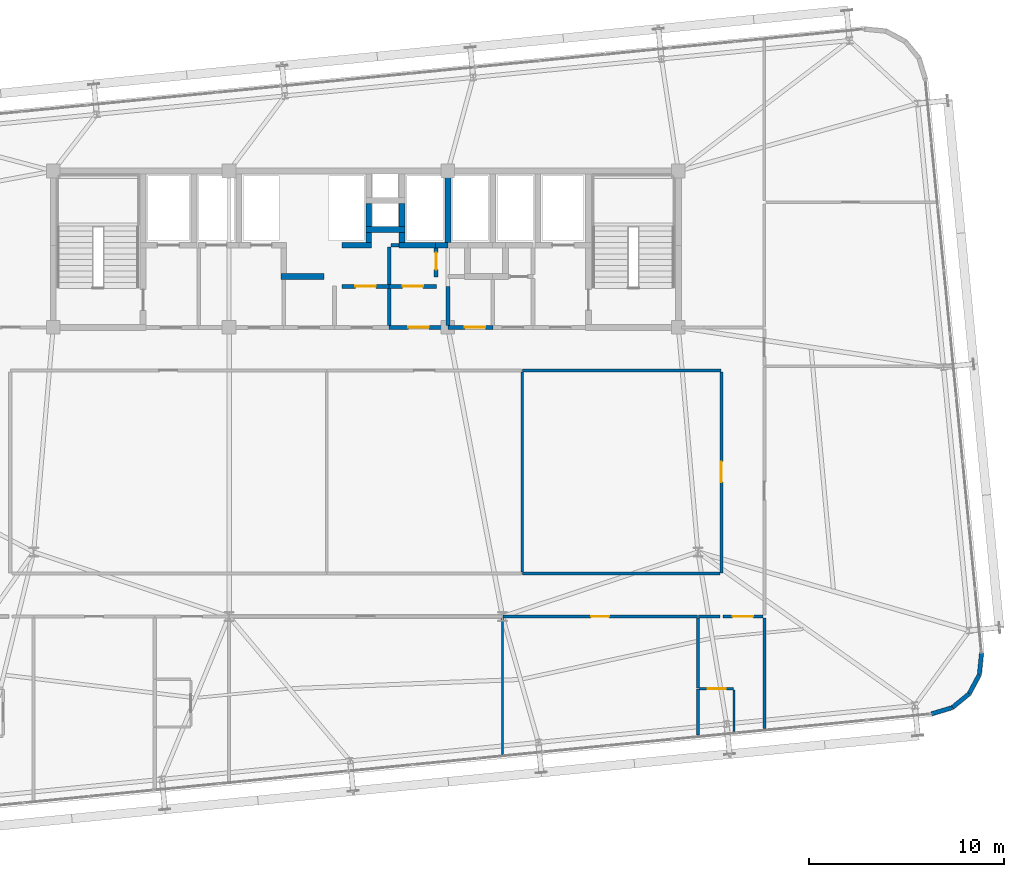
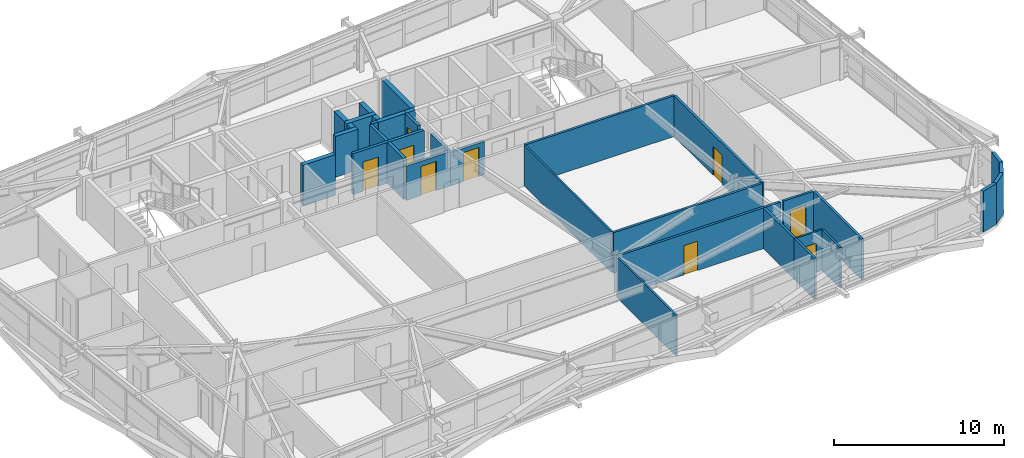
# One storey, part 48 of 53: 36 walls, 9 doors, 9 openings.
"""IFC4 building model written with IfcOpenShell, lengths in metres."""

from ifc_helpers import new_model, si_unit, direction, frame, frame_2d, origin, place, context, subcontext, project, spatial, rectangle, extrude, source, transform, mapped, material, layer, layer_set, type_object, element, fill, save


model = new_model("IFC4")

# Units and contexts
model_context = context("Model", 3, precision=1e-05, world=origin(), true_north=direction((0.0, 1.0)))
body_context = subcontext(model_context, "Body", "Model", "MODEL_VIEW")
ifc_project = project(units=[si_unit("LENGTHUNIT", "METRE"), si_unit("AREAUNIT", "SQUARE_METRE"), si_unit("VOLUMEUNIT", "CUBIC_METRE"), si_unit("PLANEANGLEUNIT", "RADIAN"), si_unit("MASSUNIT", "GRAM", prefix="KILO")], contexts=[model_context])

# Site, building, storey
site_placement = place(None, origin())
site = spatial("IfcSite", under=ifc_project, at=site_placement, CompositionType="ELEMENT")
building_placement = place(site_placement, origin())
building = spatial("IfcBuilding", under=site, at=building_placement, Name="Taldren Reach Tower", CompositionType="ELEMENT")
storey_placement = place(building_placement, frame((0.0, 0.0, 84.0)))
storey = spatial("IfcBuildingStorey", under=building, at=storey_placement, Name="L25", CompositionType="ELEMENT", Elevation=84.0)

# Walls
ifc_material_1 = material(Name="Pale Champagne Anodised Aluminium Cladding", Category="aluminium")
ifc_layer_1 = layer(ifc_material_1, 0.04, Name="Pale Champagne Anodised Aluminium Cladding", Category="aluminium")
ifc_material_2 = material(Name="Mineral Wool Acoustic Insulation", Category="insulation")
ifc_layer_2 = layer(ifc_material_2, 0.06, Name="Mineral Wool Acoustic Insulation", Category="insulation")
ifc_material_3 = material(Name="Steel Gr 350 (C350L0)", Category="steel")
ifc_layer_3 = layer(ifc_material_3, 0.12, Name="Steel Gr 350 (C350L0)", Category="steel")
ifc_layer_set_1 = layer_set([ifc_layer_1, ifc_layer_2, ifc_layer_3], Name="Pale Champagne Aluminium Cladding and Steel Gr 350 Stud Framing")
wall_type_1 = type_object("IfcWallType", Name="EW-CRN-220", PredefinedType="SOLIDWALL", material=ifc_layer_set_1)
shared_shape_1 = source(origin(), body_context, "Body", "SweptSolid", [
    extrude(rectangle(XDim=1.115966796875, YDim=0.219970703125, at=frame_2d((0.55810546875, 0.0))), origin(), (0.0, 0.0, 1.0), 2.929931640625),
])
for number, where, z_axis, x_axis, name in (
    (1, (65.01708984375, 4.537109375, 0.0), (0.0, 0.0, 1.0), (0.773342870285, 0.633988016432, 0.0), "Rounded-corner pale-metal facade wall L25-SE2"),
    (2, (66.406494140625, 6.228515625, 0.0), (0.0, 0.0, 1.0), (0.09844234778, 0.995142755671, 0.0), "Rounded-corner pale-metal facade wall L25-SE4"),
):
    element("IfcWall", number, at=place(storey_placement, frame(where, z_axis=z_axis, x_axis=x_axis)), inside=storey, type_object=wall_type_1, Name=name, PredefinedType="SOLIDWALL", context=body_context, shape_type="MappedRepresentation", body=[
        mapped(shared_shape_1, transform((0.0, 0.0, 0.0), scale=1.0)),
    ])
shared_shape_2 = source(origin(), body_context, "Body", "SweptSolid", [
    extrude(rectangle(XDim=1.11572265625, YDim=0.219970703125, at=frame_2d((0.557861328125, 0.0))), origin(), (0.0, 0.0, 1.0), 2.929931640625),
])
for number, where, z_axis, x_axis, name in (
    (3, (63.94921875, 4.213623046875, 0.0), (0.0, 0.0, 1.0), (0.957052003726, 0.289916301997, 0.0), "Rounded-corner pale-metal facade wall L25-SE1"),
    (4, (65.880126953125, 5.24462890625, 0.0), (0.0, 0.0, 1.0), (0.471723463201, 0.881746547635, 0.0), "Rounded-corner pale-metal facade wall L25-SE3"),
):
    element("IfcWall", number, at=place(storey_placement, frame(where, z_axis=z_axis, x_axis=x_axis)), inside=storey, type_object=wall_type_1, Name=name, PredefinedType="SOLIDWALL", context=body_context, shape_type="MappedRepresentation", body=[
        mapped(shared_shape_2, transform((0.0, 0.0, 0.0), scale=1.0)),
    ])
ifc_material_4 = material(Name="Concrete S50 (50 MPa)", Category="concrete")
ifc_layer_4 = layer(ifc_material_4, 0.199951171875)
ifc_layer_set_2 = layer_set([ifc_layer_4], Name="Concrete S50 (50 MPa)")
wall_type_2 = type_object("IfcWallType", Name="IW-CORE-200", PredefinedType="SOLIDWALL", material=ifc_layer_set_2)
shared_shape_3 = source(origin(), body_context, "Body", "SweptSolid", [
    extrude(rectangle(XDim=2.0, YDim=0.199951171875, at=frame_2d((1.0, 0.0))), origin(), (0.0, 0.0, 1.0), 2.469970703125),
])
wall_1_placement = place(storey_placement, frame((39.199951171875, 26.10009765625, 0.0), z_axis=(0.0, 0.0, 1.0), x_axis=(0.0, -1.0, 0.0)))
element("IfcWall", 5, at=wall_1_placement, inside=storey, type_object=wall_type_2, Name="Rear Core Shear Wall W-INT-L25-052", PredefinedType="SOLIDWALL", context=body_context, shape_type="MappedRepresentation", body=[
    mapped(shared_shape_3, transform((0.0, 0.0, 0.0), scale=1.0)),
])

# Wall, opening, door
ifc_material_5 = material(Name="Fire-Rated Acoustic Plasterboard Stud Wall", Category="gypsum")
ifc_layer_5 = layer(ifc_material_5, 0.159912109375)
ifc_layer_set_3 = layer_set([ifc_layer_5], Name="Fire-Rated Acoustic Plasterboard Stud Wall")
wall_type_3 = type_object("IfcWallType", Name="IW-FIRE-160", PredefinedType="PARTITIONING", material=ifc_layer_set_3)
shared_shape_4 = source(origin(), body_context, "Body", "SweptSolid", [
    extrude(rectangle(XDim=10.2998046875, YDim=0.159912109375, at=frame_2d((5.14990234375, 0.0))), origin(), (0.0, 0.0, 1.0), 2.929931640625),
])
wall_2_placement = place(storey_placement, frame((53.199951171875, 11.420166015625, 0.0), z_axis=(0.0, 0.0, 1.0), x_axis=(0.0, 1.0, 0.0)))
wall_2 = element("IfcWall", 6, at=wall_2_placement, inside=storey, type_object=wall_type_3, Name="Interior Partition Wall W-INT-L25-063", PredefinedType="PARTITIONING", context=body_context, shape_type="MappedRepresentation", body=[
    mapped(shared_shape_4, transform((0.0, 0.0, 0.0), scale=1.0)),
])
shared_shape_5 = source(origin(), body_context, "Body", "SweptSolid", [
    extrude(rectangle(XDim=1.050048828125, YDim=2.10009765625, at=frame_2d((0.52490234375, 1.050048828125))), frame((0.0, 0.08984375, 0.0), z_axis=(0.0, -1.0, 0.0), x_axis=(1.0, 0.0, 0.0)), (0.0, 0.0, 1.0), 0.179931640625),
])
opening_1_placement = place(wall_2_placement, frame((4.65478515625, 0.0, 0.0)))
opening_1 = element("IfcOpeningElement", 7, at=opening_1_placement, cuts=wall_2, Name="Opening DF-105", PredefinedType="OPENING", context=body_context, shape_type="MappedRepresentation", body=[
    mapped(shared_shape_5, transform((0.0, 0.0, 0.0), scale=1.0)),
])
ifc_material_6 = material(Name="Fire-Rated Care and Stair Exit Door")
door_type_1 = type_object("IfcDoorType", Name="ID-FIRE-105", OperationType="NOTDEFINED", PredefinedType="DOOR", material=ifc_material_6)
shared_shape_6 = source(origin(), body_context, "Body", "SweptSolid", [
    extrude(rectangle(XDim=1.050048828125, YDim=2.10009765625, at=frame_2d((0.52490234375, 1.050048828125))), frame((0.0, 0.02490234375, 0.0), z_axis=(0.0, -1.0, 0.0), x_axis=(1.0, 0.0, 0.0)), (0.0, 0.0, 1.0), 0.050048828125),
])
door_1_placement = place(opening_1_placement, origin())
door_1 = element("IfcDoor", 8, at=door_1_placement, inside=storey, type_object=door_type_1, Name="Interior Door DR-L25-016", OperationType="SINGLE_SWING_LEFT", OverallHeight=2.10009765625, OverallWidth=1.050048828125, PredefinedType="DOOR", context=body_context, shape_type="MappedRepresentation", body=[
    mapped(shared_shape_6, transform((0.0, 0.0, 0.0), scale=1.0)),
])
fill(opening_1, door_1)

shared_shape_7 = source(origin(), body_context, "Body", "SweptSolid", [
    extrude(rectangle(XDim=2.0400390625, YDim=0.159912109375, at=frame_2d((1.02001953125, 0.0))), origin(), (0.0, 0.0, 1.0), 2.929931640625),
])
wall_3_placement = place(storey_placement, frame((55.320068359375, 9.199951171875, 0.0), z_axis=(0.0, 0.0, 1.0), x_axis=(-1.0, 0.0, 0.0)))
wall_3 = element("IfcWall", 9, at=wall_3_placement, inside=storey, type_object=wall_type_3, Name="Interior Partition Wall W-INT-L25-066", PredefinedType="PARTITIONING", context=body_context, shape_type="MappedRepresentation", body=[
    mapped(shared_shape_7, transform((0.0, 0.0, 0.0), scale=1.0)),
])
opening_2_placement = place(wall_3_placement, frame((0.4951171875, 0.0, 0.0)))
opening_2 = element("IfcOpeningElement", 10, at=opening_2_placement, cuts=wall_3, Name="Opening DF-105", PredefinedType="OPENING", context=body_context, shape_type="MappedRepresentation", body=[
    mapped(shared_shape_5, transform((0.0, 0.0, 0.0), scale=1.0)),
])
door_2_placement = place(opening_2_placement, origin())
door_2 = element("IfcDoor", 11, at=door_2_placement, inside=storey, type_object=door_type_1, Name="Interior Door DR-L25-018", OperationType="SINGLE_SWING_LEFT", OverallHeight=2.10009765625, OverallWidth=1.050048828125, PredefinedType="DOOR", context=body_context, shape_type="MappedRepresentation", body=[
    mapped(shared_shape_6, transform((0.0, 0.0, 0.0), scale=1.0)),
])
fill(opening_2, door_2)

# Wall
shared_shape_8 = source(origin(), body_context, "Body", "SweptSolid", [
    extrude(rectangle(XDim=1.099853515625, YDim=0.159912109375, at=frame_2d((0.5498046875, 0.0))), origin(), (0.0, 0.0, 1.0), 2.929931640625),
])
wall_4_placement = place(storey_placement, frame((53.1201171875, 9.199951171875, 0.0), z_axis=(0.0, 0.0, 1.0), x_axis=(-1.0, 0.0, 0.0)))
element("IfcWall", 12, at=wall_4_placement, inside=storey, type_object=wall_type_3, Name="Interior Partition Wall W-INT-L25-085", PredefinedType="PARTITIONING", context=body_context, shape_type="MappedRepresentation", body=[
    mapped(shared_shape_8, transform((0.0, 0.0, 0.0), scale=1.0)),
])

# Wall, opening, door
ifc_material_7 = material(Name="Insulated Residential Stud Partition", Category="gypsum")
ifc_layer_6 = layer(ifc_material_7, 0.1201171875)
ifc_layer_set_4 = layer_set([ifc_layer_6], Name="Insulated Residential Stud Partition")
wall_type_4 = type_object("IfcWallType", Name="IW-PART-120", PredefinedType="PARTITIONING", material=ifc_layer_set_4)
shared_shape_9 = source(origin(), body_context, "Body", "SweptSolid", [
    extrude(rectangle(XDim=1.749755859375, YDim=0.1201171875, at=frame_2d((0.875, 0.0))), origin(), (0.0, 0.0, 1.0), 2.929931640625),
])
wall_5_placement = place(storey_placement, frame((53.829833984375, 5.51025390625, 0.0), z_axis=(0.0, 0.0, 1.0), x_axis=(-1.0, 0.0, 0.0)))
wall_5 = element("IfcWall", 13, at=wall_5_placement, inside=storey, type_object=wall_type_4, Name="Interior Partition Wall W-INT-L25-106", PredefinedType="PARTITIONING", context=body_context, shape_type="MappedRepresentation", body=[
    mapped(shared_shape_9, transform((0.0, 0.0, 0.0), scale=1.0)),
])
shared_shape_10 = source(origin(), body_context, "Body", "SweptSolid", [
    extrude(rectangle(XDim=0.919921875, YDim=2.10009765625, at=frame_2d((0.4599609375, 1.050048828125))), frame((0.0, 0.070068359375, 0.0), z_axis=(0.0, -1.0, 0.0), x_axis=(1.0, 0.0, 0.0)), (0.0, 0.0, 1.0), 0.14013671875),
])
opening_3_placement = place(wall_5_placement, frame((0.414794921875, 0.0, 0.0)))
opening_3 = element("IfcOpeningElement", 14, at=opening_3_placement, cuts=wall_5, Name="Opening DI-092", PredefinedType="OPENING", context=body_context, shape_type="MappedRepresentation", body=[
    mapped(shared_shape_10, transform((0.0, 0.0, 0.0), scale=1.0)),
])
ifc_material_8 = material(Name="Solid-Core Timber Suite Door", Category="wood")
door_type_2 = type_object("IfcDoorType", Name="ID-INT-092", OperationType="NOTDEFINED", PredefinedType="DOOR", material=ifc_material_8)
shared_shape_11 = source(origin(), body_context, "Body", "SweptSolid", [
    extrude(rectangle(XDim=0.919921875, YDim=2.10009765625, at=frame_2d((0.4599609375, 1.050048828125))), frame((0.0, 0.02490234375, 0.0), z_axis=(0.0, -1.0, 0.0), x_axis=(1.0, 0.0, 0.0)), (0.0, 0.0, 1.0), 0.050048828125),
])
door_3_placement = place(opening_3_placement, origin())
door_3 = element("IfcDoor", 15, at=door_3_placement, inside=storey, type_object=door_type_2, Name="Interior Door DR-L25-031", OperationType="SINGLE_SWING_RIGHT", OverallHeight=2.10009765625, OverallWidth=0.919921875, PredefinedType="DOOR", context=body_context, shape_type="MappedRepresentation", body=[
    mapped(shared_shape_11, transform((0.0, 0.0, 0.0), scale=1.0)),
])
fill(opening_3, door_3)

shared_shape_12 = source(origin(), body_context, "Body", "SweptSolid", [
    extrude(rectangle(XDim=2.419921875, YDim=0.199951171875, at=frame_2d((1.2099609375, 0.0))), origin(), (0.0, 0.0, 1.0), 2.929931640625),
])
wall_6_placement = place(storey_placement, frame((33.780029296875, 26.10009765625, 0.0), z_axis=(0.0, 0.0, 1.0), x_axis=(1.0, 0.0, 0.0)))
wall_6 = element("IfcWall", 16, at=wall_6_placement, inside=storey, type_object=wall_type_2, Name="Rear Core Shear Wall W-INT-L25-046", PredefinedType="SOLIDWALL", context=body_context, shape_type="MappedRepresentation", body=[
    mapped(shared_shape_12, transform((0.0, 0.0, 0.0), scale=1.0)),
])
shared_shape_13 = source(origin(), body_context, "Body", "SweptSolid", [
    extrude(rectangle(XDim=1.050048828125, YDim=2.10009765625, at=frame_2d((0.52490234375, 1.050048828125))), frame((0.0, 0.10986328125, 0.0), z_axis=(0.0, -1.0, 0.0), x_axis=(1.0, 0.0, 0.0)), (0.0, 0.0, 1.0), 0.219970703125),
])
opening_4_placement = place(wall_6_placement, frame((0.68505859375, 0.0, 0.0)))
opening_4 = element("IfcOpeningElement", 17, at=opening_4_placement, cuts=wall_6, Name="Opening DF-105", PredefinedType="OPENING", context=body_context, shape_type="MappedRepresentation", body=[
    mapped(shared_shape_13, transform((0.0, 0.0, 0.0), scale=1.0)),
])
door_4_placement = place(opening_4_placement, origin())
door_4 = element("IfcDoor", 18, at=door_4_placement, inside=storey, type_object=door_type_1, Name="Interior Door DR-L25-007", OperationType="SINGLE_SWING_RIGHT", OverallHeight=2.10009765625, OverallWidth=1.050048828125, PredefinedType="DOOR", context=body_context, shape_type="MappedRepresentation", body=[
    mapped(shared_shape_6, transform((0.0, 0.0, 0.0), scale=1.0)),
])
fill(opening_4, door_4)

# Walls
shared_shape_14 = source(origin(), body_context, "Body", "SweptSolid", [
    extrude(rectangle(XDim=1.89990234375, YDim=0.199951171875, at=frame_2d((0.949951171875, 0.0))), origin(), (0.0, 0.0, 1.0), 2.929931640625),
])
wall_7_placement = place(storey_placement, frame((36.199951171875, 26.0, 0.0), z_axis=(0.0, 0.0, 1.0), x_axis=(0.0, -1.0, 0.0)))
element("IfcWall", 19, at=wall_7_placement, inside=storey, type_object=wall_type_2, Name="Rear Core Shear Wall W-INT-L25-047", PredefinedType="SOLIDWALL", context=body_context, shape_type="MappedRepresentation", body=[
    mapped(shared_shape_14, transform((0.0, 0.0, 0.0), scale=1.0)),
])
shared_shape_15 = source(origin(), body_context, "Body", "SweptSolid", [
    extrude(rectangle(XDim=1.900146484375, YDim=0.199951171875, at=frame_2d((0.9501953125, 0.0))), origin(), (0.0, 0.0, 1.0), 2.929931640625),
])
wall_8_placement = place(storey_placement, frame((36.199951171875, 28.10009765625, 0.0), z_axis=(0.0, 0.0, 1.0), x_axis=(0.0, -1.0, 0.0)))
element("IfcWall", 20, at=wall_8_placement, inside=storey, type_object=wall_type_2, Name="Rear Core Shear Wall W-INT-L25-049", PredefinedType="SOLIDWALL", context=body_context, shape_type="MappedRepresentation", body=[
    mapped(shared_shape_15, transform((0.0, 0.0, 0.0), scale=1.0)),
])

# Wall, opening, door
shared_shape_16 = source(origin(), body_context, "Body", "SweptSolid", [
    extrude(rectangle(XDim=2.420166015625, YDim=0.199951171875, at=frame_2d((1.2099609375, 0.0))), origin(), (0.0, 0.0, 1.0), 2.929931640625),
])
wall_9_placement = place(storey_placement, frame((36.199951171875, 26.10009765625, 0.0), z_axis=(0.0, 0.0, 1.0), x_axis=(1.0, 0.0, 0.0)))
wall_9 = element("IfcWall", 21, at=wall_9_placement, inside=storey, type_object=wall_type_2, Name="Rear Core Shear Wall W-INT-L25-051", PredefinedType="SOLIDWALL", context=body_context, shape_type="MappedRepresentation", body=[
    mapped(shared_shape_16, transform((0.0, 0.0, 0.0), scale=1.0)),
])
opening_5_placement = place(wall_9_placement, frame((0.68505859375, 0.0, 0.0)))
opening_5 = element("IfcOpeningElement", 22, at=opening_5_placement, cuts=wall_9, Name="Opening DF-105", PredefinedType="OPENING", context=body_context, shape_type="MappedRepresentation", body=[
    mapped(shared_shape_13, transform((0.0, 0.0, 0.0), scale=1.0)),
])
door_5_placement = place(opening_5_placement, origin())
door_5 = element("IfcDoor", 23, at=door_5_placement, inside=storey, type_object=door_type_1, Name="Interior Door DR-L25-009", OperationType="SINGLE_SWING_RIGHT", OverallHeight=2.10009765625, OverallWidth=1.050048828125, PredefinedType="DOOR", context=body_context, shape_type="MappedRepresentation", body=[
    mapped(shared_shape_6, transform((0.0, 0.0, 0.0), scale=1.0)),
])
fill(opening_5, door_5)

shared_shape_17 = source(origin(), body_context, "Body", "SweptSolid", [
    extrude(rectangle(XDim=3.0, YDim=0.199951171875, at=frame_2d((1.5, 0.0))), origin(), (0.0, 0.0, 1.0), 2.469970703125),
])
wall_10_placement = place(storey_placement, frame((39.199951171875, 24.0, 0.0), z_axis=(0.0, 0.0, 1.0), x_axis=(-1.0, 0.0, 0.0)))
wall_10 = element("IfcWall", 24, at=wall_10_placement, inside=storey, type_object=wall_type_2, Name="Rear Core Shear Wall W-INT-L25-053", PredefinedType="SOLIDWALL", context=body_context, shape_type="MappedRepresentation", body=[
    mapped(shared_shape_17, transform((0.0, 0.0, 0.0), scale=1.0)),
])
opening_6_placement = place(wall_10_placement, frame((0.97509765625, 0.0, 0.0)))
opening_6 = element("IfcOpeningElement", 25, at=opening_6_placement, cuts=wall_10, Name="Opening DF-105", PredefinedType="OPENING", context=body_context, shape_type="MappedRepresentation", body=[
    mapped(shared_shape_13, transform((0.0, 0.0, 0.0), scale=1.0)),
])
door_6_placement = place(opening_6_placement, frame((1.050048828125, 0.0, 0.0), z_axis=(0.0, 0.0, 1.0), x_axis=(-1.0, 0.0, 0.0)))
door_6 = element("IfcDoor", 26, at=door_6_placement, inside=storey, type_object=door_type_1, Name="Interior Door DR-L25-010", OperationType="SINGLE_SWING_RIGHT", OverallHeight=2.10009765625, OverallWidth=1.050048828125, PredefinedType="DOOR", context=body_context, shape_type="MappedRepresentation", body=[
    mapped(shared_shape_6, transform((0.0, 0.0, 0.0), scale=1.0)),
])
fill(opening_6, door_6)

shared_shape_18 = source(origin(), body_context, "Body", "SweptSolid", [
    extrude(rectangle(XDim=2.300048828125, YDim=0.199951171875, at=frame_2d((1.14990234375, 0.0))), origin(), (0.0, 0.0, 1.0), 2.39697265625),
])
wall_11_placement = place(storey_placement, frame((41.5, 24.0, 0.0), z_axis=(0.0, 0.0, 1.0), x_axis=(-1.0, 0.0, 0.0)))
wall_11 = element("IfcWall", 27, at=wall_11_placement, inside=storey, type_object=wall_type_2, Name="Rear Core Shear Wall W-INT-L25-057", PredefinedType="SOLIDWALL", context=body_context, shape_type="MappedRepresentation", body=[
    mapped(shared_shape_18, transform((0.0, 0.0, 0.0), scale=1.0)),
])
opening_7_placement = place(wall_11_placement, frame((0.375, 0.0, 0.0)))
opening_7 = element("IfcOpeningElement", 28, at=opening_7_placement, cuts=wall_11, Name="Opening DF-105", PredefinedType="OPENING", context=body_context, shape_type="MappedRepresentation", body=[
    mapped(shared_shape_13, transform((0.0, 0.0, 0.0), scale=1.0)),
])
door_7_placement = place(opening_7_placement, frame((1.050048828125, 0.0, 0.0), z_axis=(0.0, 0.0, 1.0), x_axis=(-1.0, 0.0, 0.0)))
door_7 = element("IfcDoor", 29, at=door_7_placement, inside=storey, type_object=door_type_1, Name="Interior Door DR-L25-011", OperationType="SINGLE_SWING_RIGHT", OverallHeight=2.10009765625, OverallWidth=1.050048828125, PredefinedType="DOOR", context=body_context, shape_type="MappedRepresentation", body=[
    mapped(shared_shape_6, transform((0.0, 0.0, 0.0), scale=1.0)),
])
fill(opening_7, door_7)

shared_shape_19 = source(origin(), body_context, "Body", "SweptSolid", [
    extrude(rectangle(XDim=9.95947265625, YDim=0.159912109375, at=frame_2d((4.979736328125, 0.0))), origin(), (0.0, 0.0, 1.0), 2.929931640625),
])
wall_12_placement = place(storey_placement, frame((51.979736328125, 9.199951171875, 0.0), z_axis=(0.0, 0.0, 1.0), x_axis=(-1.0, 0.0, 0.0)))
wall_12 = element("IfcWall", 30, at=wall_12_placement, inside=storey, type_object=wall_type_3, Name="Interior Partition Wall W-INT-L25-084", PredefinedType="PARTITIONING", context=body_context, shape_type="MappedRepresentation", body=[
    mapped(shared_shape_19, transform((0.0, 0.0, 0.0), scale=1.0)),
])
shared_shape_20 = source(origin(), body_context, "Body", "SweptSolid", [
    extrude(rectangle(XDim=0.919921875, YDim=2.10009765625, at=frame_2d((0.4599609375, 1.050048828125))), frame((0.0, 0.08984375, 0.0), z_axis=(0.0, -1.0, 0.0), x_axis=(1.0, 0.0, 0.0)), (0.0, 0.0, 1.0), 0.179931640625),
])
opening_8_placement = place(wall_12_placement, frame((4.519775390625, 0.0, 0.0)))
opening_8 = element("IfcOpeningElement", 31, at=opening_8_placement, cuts=wall_12, Name="Opening DI-092", PredefinedType="OPENING", context=body_context, shape_type="MappedRepresentation", body=[
    mapped(shared_shape_20, transform((0.0, 0.0, 0.0), scale=1.0)),
])
door_8_placement = place(opening_8_placement, origin())
door_8 = element("IfcDoor", 32, at=door_8_placement, inside=storey, type_object=door_type_2, Name="Interior Door DR-L25-028", OperationType="SINGLE_SWING_LEFT", OverallHeight=2.10009765625, OverallWidth=0.919921875, PredefinedType="DOOR", context=body_context, shape_type="MappedRepresentation", body=[
    mapped(shared_shape_11, transform((0.0, 0.0, 0.0), scale=1.0)),
])
fill(opening_8, door_8)

# Walls
shared_shape_21 = source(origin(), body_context, "Body", "SweptSolid", [
    extrude(rectangle(XDim=10.239990234375, YDim=0.1201171875, at=frame_2d((5.1201171875, 0.0))), origin(), (0.0, 0.0, 1.0), 2.929931640625),
])
wall_13_placement = place(storey_placement, frame((43.0, 21.719970703125, 0.0), z_axis=(0.0, 0.0, 1.0), x_axis=(0.0, -1.0, 0.0)))
element("IfcWall", 33, at=wall_13_placement, inside=storey, type_object=wall_type_4, Name="Interior Partition Wall W-INT-L25-087", PredefinedType="PARTITIONING", context=body_context, shape_type="MappedRepresentation", body=[
    mapped(shared_shape_21, transform((0.0, 0.0, 0.0), scale=1.0)),
])
shared_shape_22 = source(origin(), body_context, "Body", "SweptSolid", [
    extrude(rectangle(XDim=10.159423828125, YDim=0.159912109375, at=frame_2d((5.07958984375, 0.0))), origin(), (0.0, 0.0, 1.0), 2.929931640625),
])
wall_14_placement = place(storey_placement, frame((53.1796875, 21.800048828125, 0.0), z_axis=(0.0, 0.0, 1.0), x_axis=(-1.0, 0.0, 0.0)))
element("IfcWall", 34, at=wall_14_placement, inside=storey, type_object=wall_type_3, Name="Interior Partition Wall W-INT-L25-064", PredefinedType="PARTITIONING", context=body_context, shape_type="MappedRepresentation", body=[
    mapped(shared_shape_22, transform((0.0, 0.0, 0.0), scale=1.0)),
])
shared_shape_23 = source(origin(), body_context, "Body", "SweptSolid", [
    extrude(rectangle(XDim=10.099853515625, YDim=0.159912109375, at=frame_2d((5.0498046875, 0.0))), origin(), (0.0, 0.0, 1.0), 2.929931640625),
])
wall_15_placement = place(storey_placement, frame((43.020263671875, 11.39990234375, 0.0), z_axis=(0.0, 0.0, 1.0), x_axis=(1.0, 0.0, 0.0)))
element("IfcWall", 35, at=wall_15_placement, inside=storey, type_object=wall_type_3, Name="Interior Partition Wall W-INT-L25-079", PredefinedType="PARTITIONING", context=body_context, shape_type="MappedRepresentation", body=[
    mapped(shared_shape_23, transform((0.0, 0.0, 0.0), scale=1.0)),
])
ifc_material_9 = material(Name="Concrete S65 (65 MPa)", Category="concrete")
ifc_layer_7 = layer(ifc_material_9, 0.300048828125)
ifc_layer_set_5 = layer_set([ifc_layer_7], Name="Concrete S65 (65 MPa)")
wall_type_5 = type_object("IfcWallType", Name="IW-CORE-300", PredefinedType="SHEAR", material=ifc_layer_set_5)
shared_shape_24 = source(origin(), body_context, "Body", "SweptSolid", [
    extrude(rectangle(XDim=3.5, YDim=0.300048828125, at=frame_2d((1.75, 0.0))), origin(), (0.0, 0.0, 1.0), 2.929931640625),
])
wall_16_placement = place(storey_placement, frame((39.199951171875, 28.35009765625, 0.0), z_axis=(0.0, 0.0, 1.0), x_axis=(0.0, 1.0, 0.0)))
element("IfcWall", 36, at=wall_16_placement, inside=storey, type_object=wall_type_5, Name="Rear Core Shear Wall W-INT-L25-037", PredefinedType="SHEAR", context=body_context, shape_type="MappedRepresentation", body=[
    mapped(shared_shape_24, transform((0.0, 0.0, 0.0), scale=1.0)),
])
shared_shape_25 = source(origin(), body_context, "Body", "SweptSolid", [
    extrude(rectangle(XDim=2.0, YDim=0.300048828125, at=frame_2d((1.0, 0.0))), origin(), (0.0, 0.0, 1.0), 2.929931640625),
])
wall_17_placement = place(storey_placement, frame((35.0, 29.0, 0.0), z_axis=(0.0, 0.0, 1.0), x_axis=(1.0, 0.0, 0.0)))
element("IfcWall", 37, at=wall_17_placement, inside=storey, type_object=wall_type_5, Name="Rear Core Shear Wall W-INT-L25-021", PredefinedType="SHEAR", context=body_context, shape_type="MappedRepresentation", body=[
    mapped(shared_shape_25, transform((0.0, 0.0, 0.0), scale=1.0)),
])
shared_shape_26 = source(origin(), body_context, "Body", "SweptSolid", [
    extrude(rectangle(XDim=1.2001953125, YDim=0.300048828125, at=frame_2d((0.60009765625, 0.0))), origin(), (0.0, 0.0, 1.0), 2.929931640625),
])
for number, where, z_axis, x_axis, name in (
    (38, (35.14990234375, 30.35009765625, 0.0), (0.0, 0.0, 1.0), (0.0, -1.0, 0.0), "Rear Core Shear Wall W-INT-L25-019"),
    (39, (36.85009765625, 29.14990234375, 0.0), (0.0, 0.0, 1.0), (0.0, 1.0, 0.0), "Rear Core Shear Wall W-INT-L25-020"),
):
    element("IfcWall", number, at=place(storey_placement, frame(where, z_axis=z_axis, x_axis=x_axis)), inside=storey, type_object=wall_type_5, Name=name, PredefinedType="SHEAR", context=body_context, shape_type="MappedRepresentation", body=[
        mapped(shared_shape_26, transform((0.0, 0.0, 0.0), scale=1.0)),
    ])
shared_shape_27 = source(origin(), body_context, "Body", "SweptSolid", [
    extrude(rectangle(XDim=2.2001953125, YDim=0.300048828125, at=frame_2d((1.10009765625, 0.0))), origin(), (0.0, 0.0, 1.0), 2.929931640625),
])
wall_18_placement = place(storey_placement, frame((30.64990234375, 26.60009765625, 0.0), z_axis=(0.0, 0.0, 1.0), x_axis=(1.0, 0.0, 0.0)))
element("IfcWall", 40, at=wall_18_placement, inside=storey, type_object=wall_type_5, Name="Rear Core Shear Wall W-INT-L25-023", PredefinedType="SHEAR", context=body_context, shape_type="MappedRepresentation", body=[
    mapped(shared_shape_27, transform((0.0, 0.0, 0.0), scale=1.0)),
])
shared_shape_28 = source(origin(), body_context, "Body", "SweptSolid", [
    extrude(rectangle(XDim=1.52001953125, YDim=0.300048828125, at=frame_2d((0.760009765625, 0.0))), origin(), (0.0, 0.0, 1.0), 2.929931640625),
])
wall_19_placement = place(storey_placement, frame((33.780029296875, 28.199951171875, 0.0), z_axis=(0.0, 0.0, 1.0), x_axis=(1.0, 0.0, 0.0)))
element("IfcWall", 41, at=wall_19_placement, inside=storey, type_object=wall_type_5, Name="Rear Core Shear Wall W-INT-L25-035", PredefinedType="SHEAR", context=body_context, shape_type="MappedRepresentation", body=[
    mapped(shared_shape_28, transform((0.0, 0.0, 0.0), scale=1.0)),
])
shared_shape_29 = source(origin(), body_context, "Body", "SweptSolid", [
    extrude(rectangle(XDim=0.5, YDim=0.300048828125, at=frame_2d((0.25, 0.0))), origin(), (0.0, 0.0, 1.0), 2.929931640625),
])
for number, where, z_axis, x_axis, name in (
    (42, (35.14990234375, 28.35009765625, 0.0), (0.0, 0.0, 1.0), (0.0, 1.0, 0.0), "Rear Core Shear Wall W-INT-L25-036"),
    (43, (36.85009765625, 28.85009765625, 0.0), (0.0, 0.0, 1.0), (0.0, -1.0, 0.0), "Rear Core Shear Wall W-INT-L25-038"),
):
    element("IfcWall", number, at=place(storey_placement, frame(where, z_axis=z_axis, x_axis=x_axis)), inside=storey, type_object=wall_type_5, Name=name, PredefinedType="SHEAR", context=body_context, shape_type="MappedRepresentation", body=[
        mapped(shared_shape_29, transform((0.0, 0.0, 0.0), scale=1.0)),
    ])
shared_shape_30 = source(origin(), body_context, "Body", "SweptSolid", [
    extrude(rectangle(XDim=1.920166015625, YDim=0.300048828125, at=frame_2d((0.9599609375, 0.0))), origin(), (0.0, 0.0, 1.0), 2.929931640625),
])
wall_20_placement = place(storey_placement, frame((36.699951171875, 28.199951171875, 0.0), z_axis=(0.0, 0.0, 1.0), x_axis=(1.0, 0.0, 0.0)))
element("IfcWall", 44, at=wall_20_placement, inside=storey, type_object=wall_type_5, Name="Rear Core Shear Wall W-INT-L25-039", PredefinedType="SHEAR", context=body_context, shape_type="MappedRepresentation", body=[
    mapped(shared_shape_30, transform((0.0, 0.0, 0.0), scale=1.0)),
])
shared_shape_31 = source(origin(), body_context, "Body", "SweptSolid", [
    extrude(rectangle(XDim=0.619873046875, YDim=0.300048828125, at=frame_2d((0.31005859375, 0.0))), origin(), (0.0, 0.0, 1.0), 2.929931640625),
])
wall_21_placement = place(storey_placement, frame((38.580078125, 28.199951171875, 0.0), z_axis=(0.0, 0.0, 1.0), x_axis=(1.0, 0.0, 0.0)))
element("IfcWall", 45, at=wall_21_placement, inside=storey, type_object=wall_type_5, Name="Rear Core Shear Wall W-INT-L25-040", PredefinedType="SHEAR", context=body_context, shape_type="MappedRepresentation", body=[
    mapped(shared_shape_31, transform((0.0, 0.0, 0.0), scale=1.0)),
])
shared_shape_32 = source(origin(), body_context, "Body", "SweptSolid", [
    extrude(rectangle(XDim=0.39990234375, YDim=0.199951171875, at=frame_2d((0.199951171875, 0.0))), origin(), (0.0, 0.0, 1.0), 2.929931640625),
])
wall_22_placement = place(storey_placement, frame((36.699951171875, 28.199951171875, 0.0), z_axis=(0.0, 0.0, 1.0), x_axis=(-1.0, 0.0, 0.0)))
element("IfcWall", 46, at=wall_22_placement, inside=storey, type_object=wall_type_2, Name="Rear Core Shear Wall W-INT-L25-050", PredefinedType="SOLIDWALL", context=body_context, shape_type="MappedRepresentation", body=[
    mapped(shared_shape_32, transform((0.0, 0.0, 0.0), scale=1.0)),
])

# Wall, opening, door
shared_shape_33 = source(origin(), body_context, "Body", "SweptSolid", [
    extrude(rectangle(XDim=1.469970703125, YDim=0.199951171875, at=frame_2d((0.73486328125, 0.0))), origin(), (0.0, 0.0, 1.0), 2.929931640625),
])
wall_23_placement = place(storey_placement, frame((38.60009765625, 28.050048828125, 0.0), z_axis=(0.0, 0.0, 1.0), x_axis=(0.0, -1.0, 0.0)))
wall_23 = element("IfcWall", 47, at=wall_23_placement, inside=storey, type_object=wall_type_2, Name="Rear Core Shear Wall W-INT-L25-054", PredefinedType="SOLIDWALL", context=body_context, shape_type="MappedRepresentation", body=[
    mapped(shared_shape_33, transform((0.0, 0.0, 0.0), scale=1.0)),
])
shared_shape_34 = source(origin(), body_context, "Body", "SweptSolid", [
    extrude(rectangle(XDim=0.860107421875, YDim=2.10009765625, at=frame_2d((0.43017578125, 1.050048828125))), frame((0.0, 0.10986328125, 0.0), z_axis=(0.0, -1.0, 0.0), x_axis=(1.0, 0.0, 0.0)), (0.0, 0.0, 1.0), 0.219970703125),
])
opening_9_placement = place(wall_23_placement, frame((0.22998046875, 0.0, 0.0)))
opening_9 = element("IfcOpeningElement", 48, at=opening_9_placement, cuts=wall_23, Name="Opening DI-086", PredefinedType="OPENING", context=body_context, shape_type="MappedRepresentation", body=[
    mapped(shared_shape_34, transform((0.0, 0.0, 0.0), scale=1.0)),
])
ifc_material_10 = material(Name="Timber Bathroom Door", Category="wood")
door_type_3 = type_object("IfcDoorType", Name="ID-INT-086", OperationType="NOTDEFINED", PredefinedType="DOOR", material=ifc_material_10)
shared_shape_35 = source(origin(), body_context, "Body", "SweptSolid", [
    extrude(rectangle(XDim=0.860107421875, YDim=2.10009765625, at=frame_2d((0.43017578125, 1.050048828125))), frame((0.0, 0.02490234375, 0.0), z_axis=(0.0, -1.0, 0.0), x_axis=(1.0, 0.0, 0.0)), (0.0, 0.0, 1.0), 0.050048828125),
])
door_9_placement = place(opening_9_placement, origin())
door_9 = element("IfcDoor", 49, at=door_9_placement, inside=storey, type_object=door_type_3, Name="Interior Door DR-L25-034", OperationType="SINGLE_SWING_LEFT", OverallHeight=2.10009765625, OverallWidth=0.860107421875, PredefinedType="DOOR", context=body_context, shape_type="MappedRepresentation", body=[
    mapped(shared_shape_35, transform((0.0, 0.0, 0.0), scale=1.0)),
])
fill(opening_9, door_9)

# Walls
shared_shape_36 = source(origin(), body_context, "Body", "SweptSolid", [
    extrude(rectangle(XDim=6.97607421875, YDim=0.1201171875, at=frame_2d((3.488037109375, 0.0))), origin(), (0.0, 0.0, 1.0), 2.929931640625),
])
wall_24_placement = place(storey_placement, frame((42.0, 9.1201171875, 0.0), z_axis=(0.0, 0.0, 1.0), x_axis=(0.0, -1.0, 0.0)))
element("IfcWall", 50, at=wall_24_placement, inside=storey, type_object=wall_type_4, Name="Interior Partition Wall W-INT-L25-102", PredefinedType="PARTITIONING", context=body_context, shape_type="MappedRepresentation", body=[
    mapped(shared_shape_36, transform((0.0, 0.0, 0.0), scale=1.0)),
])
shared_shape_37 = source(origin(), body_context, "Body", "SweptSolid", [
    extrude(rectangle(XDim=2.12841796875, YDim=0.1201171875, at=frame_2d((1.064208984375, 0.0))), origin(), (0.0, 0.0, 1.0), 2.929931640625),
])
wall_25_placement = place(storey_placement, frame((53.85009765625, 3.32177734375, 0.0), z_axis=(0.0, 0.0, 1.0), x_axis=(0.0, 1.0, 0.0)))
element("IfcWall", 51, at=wall_25_placement, inside=storey, type_object=wall_type_4, Name="Interior Partition Wall W-INT-L25-105", PredefinedType="PARTITIONING", context=body_context, shape_type="MappedRepresentation", body=[
    mapped(shared_shape_37, transform((0.0, 0.0, 0.0), scale=1.0)),
])
shared_shape_38 = source(origin(), body_context, "Body", "SweptSolid", [
    extrude(rectangle(XDim=5.657958984375, YDim=0.159912109375, at=frame_2d((2.8291015625, 0.0))), origin(), (0.0, 0.0, 1.0), 2.929931640625),
])
wall_26_placement = place(storey_placement, frame((55.39990234375, 9.117919921875, 0.0), z_axis=(0.0, 0.0, 1.0), x_axis=(0.0, -1.0, 0.0)))
element("IfcWall", 52, at=wall_26_placement, inside=storey, type_object=wall_type_3, Name="Interior Partition Wall W-INT-L25-107", PredefinedType="PARTITIONING", context=body_context, shape_type="MappedRepresentation", body=[
    mapped(shared_shape_38, transform((0.0, 0.0, 0.0), scale=1.0)),
])
shared_shape_39 = source(origin(), body_context, "Body", "SweptSolid", [
    extrude(rectangle(XDim=3.589599609375, YDim=0.159912109375, at=frame_2d((1.794921875, 0.0))), origin(), (0.0, 0.0, 1.0), 2.929931640625),
])
wall_27_placement = place(storey_placement, frame((52.0, 9.1201171875, 0.0), z_axis=(0.0, 0.0, 1.0), x_axis=(0.0, -1.0, 0.0)))
element("IfcWall", 53, at=wall_27_placement, inside=storey, type_object=wall_type_3, Name="Interior Partition Wall W-INT-L25-103", PredefinedType="PARTITIONING", context=body_context, shape_type="MappedRepresentation", body=[
    mapped(shared_shape_39, transform((0.0, 0.0, 0.0), scale=1.0)),
])
shared_shape_40 = source(origin(), body_context, "Body", "SweptSolid", [
    extrude(rectangle(XDim=2.365478515625, YDim=0.159912109375, at=frame_2d((1.1826171875, 0.0))), origin(), (0.0, 0.0, 1.0), 2.929931640625),
])
wall_28_placement = place(storey_placement, frame((52.0, 5.489990234375, 0.0), z_axis=(0.0, 0.0, 1.0), x_axis=(0.0, -1.0, 0.0)))
element("IfcWall", 54, at=wall_28_placement, inside=storey, type_object=wall_type_3, Name="Interior Partition Wall W-INT-L25-104", PredefinedType="PARTITIONING", context=body_context, shape_type="MappedRepresentation", body=[
    mapped(shared_shape_40, transform((0.0, 0.0, 0.0), scale=1.0)),
])

save(model, "model.ifc")
